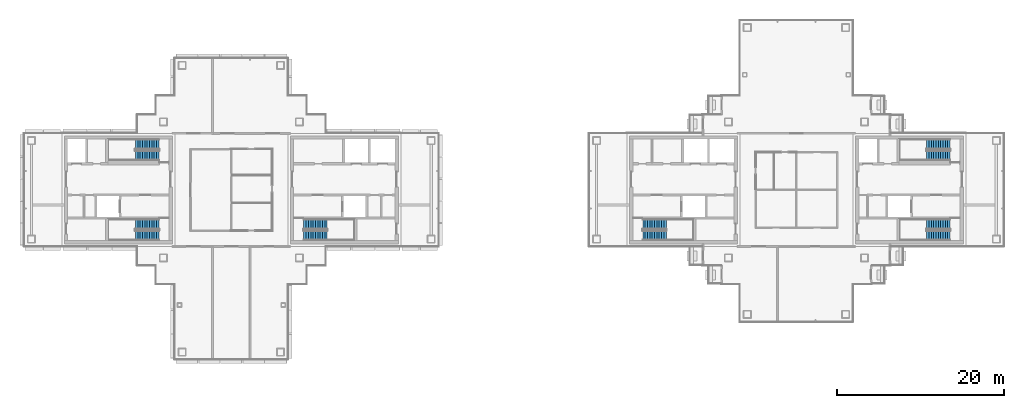
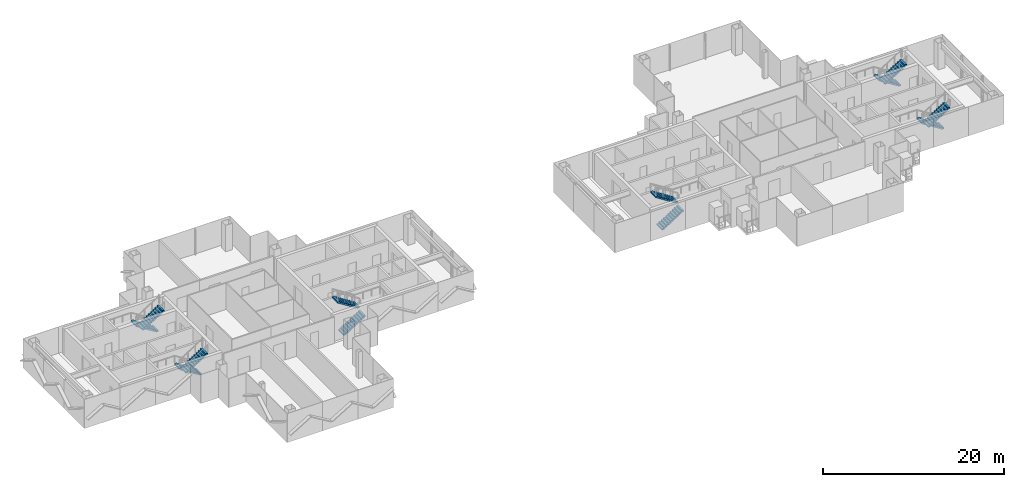
# One storey, part 13 of 17: 12 stair flights, 6 elements without a shape of their own.
"""IFC4 building model written with IfcOpenShell, lengths in metres."""

from ifc_helpers import new_model, si_unit, direction, frame, origin, place, context, subcontext, project, spatial, polyline, outline, extrude, material, type_object, element, aggregate, save


model = new_model("IFC4")

# Units and contexts
model_context = context("Model", 3, precision=1e-05, world=origin(), true_north=direction((0.0, 1.0)))
body_context = subcontext(model_context, "Body", "Model", "MODEL_VIEW")
ifc_project = project(units=[si_unit("LENGTHUNIT", "METRE"), si_unit("AREAUNIT", "SQUARE_METRE"), si_unit("VOLUMEUNIT", "CUBIC_METRE"), si_unit("PLANEANGLEUNIT", "RADIAN"), si_unit("MASSUNIT", "GRAM", prefix="KILO")], contexts=[model_context])

# Site, building, storey
site_placement = place(None, origin())
site = spatial("IfcSite", under=ifc_project, at=site_placement, CompositionType="ELEMENT")
building_placement = place(site_placement, origin())
building = spatial("IfcBuilding", under=site, at=building_placement, Name="Shamsa Quay Exchange Towers", CompositionType="ELEMENT")
storey_placement = place(building_placement, frame((0.0, 0.0, 257.699951171875)))
storey = spatial("IfcBuildingStorey", under=building, at=storey_placement, Name="L62", CompositionType="ELEMENT", Elevation=257.699951171875)

# Stair, stair flights
ifc_material = material(Name="Concrete C40/50", Category="concrete")
stair_type = type_object("IfcStairType", Name="EXIT STAIR 22 RISERS 177 MM", PredefinedType="HALF_TURN_STAIR", material=ifc_material)
stair_1_placement = place(storey_placement, origin())
stair_1 = element("IfcStair", 1, at=stair_1_placement, inside=storey, type_object=stair_type, Name="L62 Exit stair ST1", PredefinedType="HALF_TURN_STAIR")
stair_flight_type = type_object("IfcStairFlightType", Name="EXIT STAIR FLIGHT 11 RISERS 177 MM", PredefinedType="STRAIGHT", material=ifc_material)
stair_flight_1_placement = place(storey_placement, frame((-25.10009765625, -5.449951171875, 0.0)))
stair_flight_1 = element("IfcStairFlight", 2, at=stair_flight_1_placement, type_object=stair_flight_type, Name="ST1 flight 1", NumberOfRisers=11, NumberOfTreads=10, PredefinedType="STRAIGHT", RiserHeight=0.177272727, TreadLength=0.28, context=body_context, shape_type="SweptSolid", body=[
    extrude(outline(polyline([(0.0, 0.0), (0.0, 0.17724609375), (0.280029296875, 0.17724609375), (0.280029296875, 0.3544921875), (0.56005859375, 0.3544921875), (0.56005859375, 0.53173828125), (0.840087890625, 0.53173828125), (0.840087890625, 0.708984375), (1.1201171875, 0.708984375), (1.1201171875, 0.886474609375), (1.39990234375, 0.886474609375), (1.39990234375, 1.063720703125), (1.679931640625, 1.063720703125), (1.679931640625, 1.240966796875), (1.9599609375, 1.240966796875), (1.9599609375, 1.418212890625), (2.239990234375, 1.418212890625), (2.239990234375, 1.595458984375), (2.52001953125, 1.595458984375), (2.52001953125, 1.772705078125), (2.800048828125, 1.772705078125), (2.800048828125, 1.949951171875), (2.800048828125, 1.607177734375), (0.261474609375, 0.0), (0.0, 0.0)])), frame((0.0, 0.60009765625, 0.0), z_axis=(0.0, -1.0, 0.0), x_axis=(1.0, 0.0, 0.0)), (0.0, 0.0, 1.0), 1.199951171875),
])
stair_flight_2_placement = place(storey_placement, frame((-22.300048828125, -4.10009765625, 1.949951171875), z_axis=(0.0, 0.0, 1.0), x_axis=(-1.0, 0.0, 0.0)))
stair_flight_2 = element("IfcStairFlight", 3, at=stair_flight_2_placement, type_object=stair_flight_type, Name="ST1 flight 2", NumberOfRisers=11, NumberOfTreads=10, PredefinedType="STRAIGHT", RiserHeight=0.177272727, TreadLength=0.28, context=body_context, shape_type="SweptSolid", body=[
    extrude(outline(polyline([(0.0, 0.0), (0.0, 0.17724609375), (0.280029296875, 0.17724609375), (0.280029296875, 0.3544921875), (0.56005859375, 0.3544921875), (0.56005859375, 0.53173828125), (0.840087890625, 0.53173828125), (0.840087890625, 0.708984375), (1.1201171875, 0.708984375), (1.1201171875, 0.886474609375), (1.39990234375, 0.886474609375), (1.39990234375, 1.063720703125), (1.679931640625, 1.063720703125), (1.679931640625, 1.240966796875), (1.9599609375, 1.240966796875), (1.9599609375, 1.418212890625), (2.239990234375, 1.418212890625), (2.239990234375, 1.595458984375), (2.52001953125, 1.595458984375), (2.52001953125, 1.772705078125), (2.800048828125, 1.772705078125), (2.800048828125, 1.949951171875), (2.800048828125, 1.607177734375), (0.261474609375, 0.0), (0.0, 0.0)])), frame((0.0, 0.60009765625, 0.0), z_axis=(0.0, -1.0, 0.0), x_axis=(1.0, 0.0, 0.0)), (0.0, 0.0, 1.0), 1.199951171875),
])
aggregate(stair_1, [stair_flight_1, stair_flight_2])

stair_2_placement = place(storey_placement, origin())
stair_2 = element("IfcStair", 4, at=stair_2_placement, inside=storey, type_object=stair_type, Name="L62 Exit stair ST2", PredefinedType="HALF_TURN_STAIR")
stair_flight_3_placement = place(storey_placement, frame((-42.39990234375, -4.10009765625, 0.0), z_axis=(0.0, 0.0, 1.0), x_axis=(-1.0, 0.0, 0.0)))
stair_flight_3 = element("IfcStairFlight", 5, at=stair_flight_3_placement, type_object=stair_flight_type, Name="ST2 flight 1", NumberOfRisers=11, NumberOfTreads=10, PredefinedType="STRAIGHT", RiserHeight=0.177272727, TreadLength=0.28, context=body_context, shape_type="SweptSolid", body=[
    extrude(outline(polyline([(0.0, 0.0), (0.0, 0.17724609375), (0.280029296875, 0.17724609375), (0.280029296875, 0.3544921875), (0.56005859375, 0.3544921875), (0.56005859375, 0.53173828125), (0.840087890625, 0.53173828125), (0.840087890625, 0.708984375), (1.1201171875, 0.708984375), (1.1201171875, 0.886474609375), (1.39990234375, 0.886474609375), (1.39990234375, 1.063720703125), (1.679931640625, 1.063720703125), (1.679931640625, 1.240966796875), (1.9599609375, 1.240966796875), (1.9599609375, 1.418212890625), (2.239990234375, 1.418212890625), (2.239990234375, 1.595458984375), (2.52001953125, 1.595458984375), (2.52001953125, 1.772705078125), (2.800048828125, 1.772705078125), (2.800048828125, 1.949951171875), (2.800048828125, 1.607177734375), (0.261474609375, 0.0), (0.0, 0.0)])), frame((0.0, 0.60009765625, 0.0), z_axis=(0.0, -1.0, 0.0), x_axis=(1.0, 0.0, 0.0)), (0.0, 0.0, 1.0), 1.199951171875),
])
stair_flight_4_placement = place(storey_placement, frame((-45.199951171875, -5.449951171875, 1.949951171875)))
stair_flight_4 = element("IfcStairFlight", 6, at=stair_flight_4_placement, type_object=stair_flight_type, Name="ST2 flight 2", NumberOfRisers=11, NumberOfTreads=10, PredefinedType="STRAIGHT", RiserHeight=0.177272727, TreadLength=0.28, context=body_context, shape_type="SweptSolid", body=[
    extrude(outline(polyline([(0.0, 0.0), (0.0, 0.17724609375), (0.280029296875, 0.17724609375), (0.280029296875, 0.3544921875), (0.56005859375, 0.3544921875), (0.56005859375, 0.53173828125), (0.840087890625, 0.53173828125), (0.840087890625, 0.708984375), (1.1201171875, 0.708984375), (1.1201171875, 0.886474609375), (1.39990234375, 0.886474609375), (1.39990234375, 1.063720703125), (1.679931640625, 1.063720703125), (1.679931640625, 1.240966796875), (1.9599609375, 1.240966796875), (1.9599609375, 1.418212890625), (2.239990234375, 1.418212890625), (2.239990234375, 1.595458984375), (2.52001953125, 1.595458984375), (2.52001953125, 1.772705078125), (2.800048828125, 1.772705078125), (2.800048828125, 1.949951171875), (2.800048828125, 1.607177734375), (0.261474609375, 0.0), (0.0, 0.0)])), frame((0.0, 0.60009765625, 0.0), z_axis=(0.0, -1.0, 0.0), x_axis=(1.0, 0.0, 0.0)), (0.0, 0.0, 1.0), 1.199951171875),
])
aggregate(stair_2, [stair_flight_3, stair_flight_4])

stair_3_placement = place(storey_placement, origin())
stair_3 = element("IfcStair", 7, at=stair_3_placement, inside=storey, type_object=stair_type, Name="L62 Exit stair ST3", PredefinedType="HALF_TURN_STAIR")
stair_flight_5_placement = place(storey_placement, frame((-42.39990234375, 5.449951171875, 0.0), z_axis=(0.0, 0.0, 1.0), x_axis=(-1.0, 0.0, 0.0)))
stair_flight_5 = element("IfcStairFlight", 8, at=stair_flight_5_placement, type_object=stair_flight_type, Name="ST3 flight 1", NumberOfRisers=11, NumberOfTreads=10, PredefinedType="STRAIGHT", RiserHeight=0.177272727, TreadLength=0.28, context=body_context, shape_type="SweptSolid", body=[
    extrude(outline(polyline([(0.0, 0.0), (0.0, 0.17724609375), (0.280029296875, 0.17724609375), (0.280029296875, 0.3544921875), (0.56005859375, 0.3544921875), (0.56005859375, 0.53173828125), (0.840087890625, 0.53173828125), (0.840087890625, 0.708984375), (1.1201171875, 0.708984375), (1.1201171875, 0.886474609375), (1.39990234375, 0.886474609375), (1.39990234375, 1.063720703125), (1.679931640625, 1.063720703125), (1.679931640625, 1.240966796875), (1.9599609375, 1.240966796875), (1.9599609375, 1.418212890625), (2.239990234375, 1.418212890625), (2.239990234375, 1.595458984375), (2.52001953125, 1.595458984375), (2.52001953125, 1.772705078125), (2.800048828125, 1.772705078125), (2.800048828125, 1.949951171875), (2.800048828125, 1.607177734375), (0.261474609375, 0.0), (0.0, 0.0)])), frame((0.0, 0.60009765625, 0.0), z_axis=(0.0, -1.0, 0.0), x_axis=(1.0, 0.0, 0.0)), (0.0, 0.0, 1.0), 1.199951171875),
])
stair_flight_6_placement = place(storey_placement, frame((-45.199951171875, 4.10009765625, 1.949951171875)))
stair_flight_6 = element("IfcStairFlight", 9, at=stair_flight_6_placement, type_object=stair_flight_type, Name="ST3 flight 2", NumberOfRisers=11, NumberOfTreads=10, PredefinedType="STRAIGHT", RiserHeight=0.177272727, TreadLength=0.28, context=body_context, shape_type="SweptSolid", body=[
    extrude(outline(polyline([(0.0, 0.0), (0.0, 0.17724609375), (0.280029296875, 0.17724609375), (0.280029296875, 0.3544921875), (0.56005859375, 0.3544921875), (0.56005859375, 0.53173828125), (0.840087890625, 0.53173828125), (0.840087890625, 0.708984375), (1.1201171875, 0.708984375), (1.1201171875, 0.886474609375), (1.39990234375, 0.886474609375), (1.39990234375, 1.063720703125), (1.679931640625, 1.063720703125), (1.679931640625, 1.240966796875), (1.9599609375, 1.240966796875), (1.9599609375, 1.418212890625), (2.239990234375, 1.418212890625), (2.239990234375, 1.595458984375), (2.52001953125, 1.595458984375), (2.52001953125, 1.772705078125), (2.800048828125, 1.772705078125), (2.800048828125, 1.949951171875), (2.800048828125, 1.607177734375), (0.261474609375, 0.0), (0.0, 0.0)])), frame((0.0, 0.60009765625, 0.0), z_axis=(0.0, -1.0, 0.0), x_axis=(1.0, 0.0, 0.0)), (0.0, 0.0, 1.0), 1.199951171875),
])
aggregate(stair_3, [stair_flight_5, stair_flight_6])

stair_4_placement = place(storey_placement, origin())
stair_4 = element("IfcStair", 10, at=stair_4_placement, inside=storey, type_object=stair_type, Name="L62 Exit stair ST4", PredefinedType="HALF_TURN_STAIR")
stair_flight_7_placement = place(storey_placement, frame((15.39990234375, -5.449951171875, 0.0)))
stair_flight_7 = element("IfcStairFlight", 11, at=stair_flight_7_placement, type_object=stair_flight_type, Name="ST4 flight 1", NumberOfRisers=11, NumberOfTreads=10, PredefinedType="STRAIGHT", RiserHeight=0.177272727, TreadLength=0.28, context=body_context, shape_type="SweptSolid", body=[
    extrude(outline(polyline([(0.0, 0.0), (0.0, 0.17724609375), (0.280029296875, 0.17724609375), (0.280029296875, 0.3544921875), (0.56005859375, 0.3544921875), (0.56005859375, 0.53173828125), (0.840087890625, 0.53173828125), (0.840087890625, 0.708984375), (1.1201171875, 0.708984375), (1.1201171875, 0.886474609375), (1.39990234375, 0.886474609375), (1.39990234375, 1.063720703125), (1.679931640625, 1.063720703125), (1.679931640625, 1.240966796875), (1.9599609375, 1.240966796875), (1.9599609375, 1.418212890625), (2.239990234375, 1.418212890625), (2.239990234375, 1.595458984375), (2.52001953125, 1.595458984375), (2.52001953125, 1.772705078125), (2.800048828125, 1.772705078125), (2.800048828125, 1.949951171875), (2.800048828125, 1.607177734375), (0.261474609375, 0.0), (0.0, 0.0)])), frame((0.0, 0.60009765625, 0.0), z_axis=(0.0, -1.0, 0.0), x_axis=(1.0, 0.0, 0.0)), (0.0, 0.0, 1.0), 1.199951171875),
])
stair_flight_8_placement = place(storey_placement, frame((18.199951171875, -4.10009765625, 1.949951171875), z_axis=(0.0, 0.0, 1.0), x_axis=(-1.0, 0.0, 0.0)))
stair_flight_8 = element("IfcStairFlight", 12, at=stair_flight_8_placement, type_object=stair_flight_type, Name="ST4 flight 2", NumberOfRisers=11, NumberOfTreads=10, PredefinedType="STRAIGHT", RiserHeight=0.177272727, TreadLength=0.28, context=body_context, shape_type="SweptSolid", body=[
    extrude(outline(polyline([(0.0, 0.0), (0.0, 0.17724609375), (0.280029296875, 0.17724609375), (0.280029296875, 0.3544921875), (0.56005859375, 0.3544921875), (0.56005859375, 0.53173828125), (0.840087890625, 0.53173828125), (0.840087890625, 0.708984375), (1.1201171875, 0.708984375), (1.1201171875, 0.886474609375), (1.39990234375, 0.886474609375), (1.39990234375, 1.063720703125), (1.679931640625, 1.063720703125), (1.679931640625, 1.240966796875), (1.9599609375, 1.240966796875), (1.9599609375, 1.418212890625), (2.239990234375, 1.418212890625), (2.239990234375, 1.595458984375), (2.52001953125, 1.595458984375), (2.52001953125, 1.772705078125), (2.800048828125, 1.772705078125), (2.800048828125, 1.949951171875), (2.800048828125, 1.607177734375), (0.261474609375, 0.0), (0.0, 0.0)])), frame((0.0, 0.60009765625, 0.0), z_axis=(0.0, -1.0, 0.0), x_axis=(1.0, 0.0, 0.0)), (0.0, 0.0, 1.0), 1.199951171875),
])
aggregate(stair_4, [stair_flight_7, stair_flight_8])

stair_5_placement = place(storey_placement, origin())
stair_5 = element("IfcStair", 13, at=stair_5_placement, inside=storey, type_object=stair_type, Name="L62 Exit stair ST5", PredefinedType="HALF_TURN_STAIR")
stair_flight_9_placement = place(storey_placement, frame((52.10009765625, -4.10009765625, 0.0), z_axis=(0.0, 0.0, 1.0), x_axis=(-1.0, 0.0, 0.0)))
stair_flight_9 = element("IfcStairFlight", 14, at=stair_flight_9_placement, type_object=stair_flight_type, Name="ST5 flight 1", NumberOfRisers=11, NumberOfTreads=10, PredefinedType="STRAIGHT", RiserHeight=0.177272727, TreadLength=0.28, context=body_context, shape_type="SweptSolid", body=[
    extrude(outline(polyline([(0.0, 0.0), (0.0, 0.17724609375), (0.280029296875, 0.17724609375), (0.280029296875, 0.3544921875), (0.56005859375, 0.3544921875), (0.56005859375, 0.53173828125), (0.840087890625, 0.53173828125), (0.840087890625, 0.708984375), (1.1201171875, 0.708984375), (1.1201171875, 0.886474609375), (1.39990234375, 0.886474609375), (1.39990234375, 1.063720703125), (1.679931640625, 1.063720703125), (1.679931640625, 1.240966796875), (1.9599609375, 1.240966796875), (1.9599609375, 1.418212890625), (2.239990234375, 1.418212890625), (2.239990234375, 1.595458984375), (2.52001953125, 1.595458984375), (2.52001953125, 1.772705078125), (2.800048828125, 1.772705078125), (2.800048828125, 1.949951171875), (2.800048828125, 1.607177734375), (0.261474609375, 0.0), (0.0, 0.0)])), frame((0.0, 0.60009765625, 0.0), z_axis=(0.0, -1.0, 0.0), x_axis=(1.0, 0.0, 0.0)), (0.0, 0.0, 1.0), 1.199951171875),
])
stair_flight_10_placement = place(storey_placement, frame((49.300048828125, -5.449951171875, 1.949951171875)))
stair_flight_10 = element("IfcStairFlight", 15, at=stair_flight_10_placement, type_object=stair_flight_type, Name="ST5 flight 2", NumberOfRisers=11, NumberOfTreads=10, PredefinedType="STRAIGHT", RiserHeight=0.177272727, TreadLength=0.28, context=body_context, shape_type="SweptSolid", body=[
    extrude(outline(polyline([(0.0, 0.0), (0.0, 0.17724609375), (0.280029296875, 0.17724609375), (0.280029296875, 0.3544921875), (0.56005859375, 0.3544921875), (0.56005859375, 0.53173828125), (0.840087890625, 0.53173828125), (0.840087890625, 0.708984375), (1.1201171875, 0.708984375), (1.1201171875, 0.886474609375), (1.39990234375, 0.886474609375), (1.39990234375, 1.063720703125), (1.679931640625, 1.063720703125), (1.679931640625, 1.240966796875), (1.9599609375, 1.240966796875), (1.9599609375, 1.418212890625), (2.239990234375, 1.418212890625), (2.239990234375, 1.595458984375), (2.52001953125, 1.595458984375), (2.52001953125, 1.772705078125), (2.800048828125, 1.772705078125), (2.800048828125, 1.949951171875), (2.800048828125, 1.607177734375), (0.261474609375, 0.0), (0.0, 0.0)])), frame((0.0, 0.60009765625, 0.0), z_axis=(0.0, -1.0, 0.0), x_axis=(1.0, 0.0, 0.0)), (0.0, 0.0, 1.0), 1.199951171875),
])
aggregate(stair_5, [stair_flight_9, stair_flight_10])

stair_6_placement = place(storey_placement, origin())
stair_6 = element("IfcStair", 16, at=stair_6_placement, inside=storey, type_object=stair_type, Name="L62 Exit stair ST6", PredefinedType="HALF_TURN_STAIR")
stair_flight_11_placement = place(storey_placement, frame((52.10009765625, 5.449951171875, 0.0), z_axis=(0.0, 0.0, 1.0), x_axis=(-1.0, 0.0, 0.0)))
stair_flight_11 = element("IfcStairFlight", 17, at=stair_flight_11_placement, type_object=stair_flight_type, Name="ST6 flight 1", NumberOfRisers=11, NumberOfTreads=10, PredefinedType="STRAIGHT", RiserHeight=0.177272727, TreadLength=0.28, context=body_context, shape_type="SweptSolid", body=[
    extrude(outline(polyline([(0.0, 0.0), (0.0, 0.17724609375), (0.280029296875, 0.17724609375), (0.280029296875, 0.3544921875), (0.56005859375, 0.3544921875), (0.56005859375, 0.53173828125), (0.840087890625, 0.53173828125), (0.840087890625, 0.708984375), (1.1201171875, 0.708984375), (1.1201171875, 0.886474609375), (1.39990234375, 0.886474609375), (1.39990234375, 1.063720703125), (1.679931640625, 1.063720703125), (1.679931640625, 1.240966796875), (1.9599609375, 1.240966796875), (1.9599609375, 1.418212890625), (2.239990234375, 1.418212890625), (2.239990234375, 1.595458984375), (2.52001953125, 1.595458984375), (2.52001953125, 1.772705078125), (2.800048828125, 1.772705078125), (2.800048828125, 1.949951171875), (2.800048828125, 1.607177734375), (0.261474609375, 0.0), (0.0, 0.0)])), frame((0.0, 0.60009765625, 0.0), z_axis=(0.0, -1.0, 0.0), x_axis=(1.0, 0.0, 0.0)), (0.0, 0.0, 1.0), 1.199951171875),
])
stair_flight_12_placement = place(storey_placement, frame((49.300048828125, 4.10009765625, 1.949951171875)))
stair_flight_12 = element("IfcStairFlight", 18, at=stair_flight_12_placement, type_object=stair_flight_type, Name="ST6 flight 2", NumberOfRisers=11, NumberOfTreads=10, PredefinedType="STRAIGHT", RiserHeight=0.177272727, TreadLength=0.28, context=body_context, shape_type="SweptSolid", body=[
    extrude(outline(polyline([(0.0, 0.0), (0.0, 0.17724609375), (0.280029296875, 0.17724609375), (0.280029296875, 0.3544921875), (0.56005859375, 0.3544921875), (0.56005859375, 0.53173828125), (0.840087890625, 0.53173828125), (0.840087890625, 0.708984375), (1.1201171875, 0.708984375), (1.1201171875, 0.886474609375), (1.39990234375, 0.886474609375), (1.39990234375, 1.063720703125), (1.679931640625, 1.063720703125), (1.679931640625, 1.240966796875), (1.9599609375, 1.240966796875), (1.9599609375, 1.418212890625), (2.239990234375, 1.418212890625), (2.239990234375, 1.595458984375), (2.52001953125, 1.595458984375), (2.52001953125, 1.772705078125), (2.800048828125, 1.772705078125), (2.800048828125, 1.949951171875), (2.800048828125, 1.607177734375), (0.261474609375, 0.0), (0.0, 0.0)])), frame((0.0, 0.60009765625, 0.0), z_axis=(0.0, -1.0, 0.0), x_axis=(1.0, 0.0, 0.0)), (0.0, 0.0, 1.0), 1.199951171875),
])
aggregate(stair_6, [stair_flight_11, stair_flight_12])

save(model, "model.ifc")
